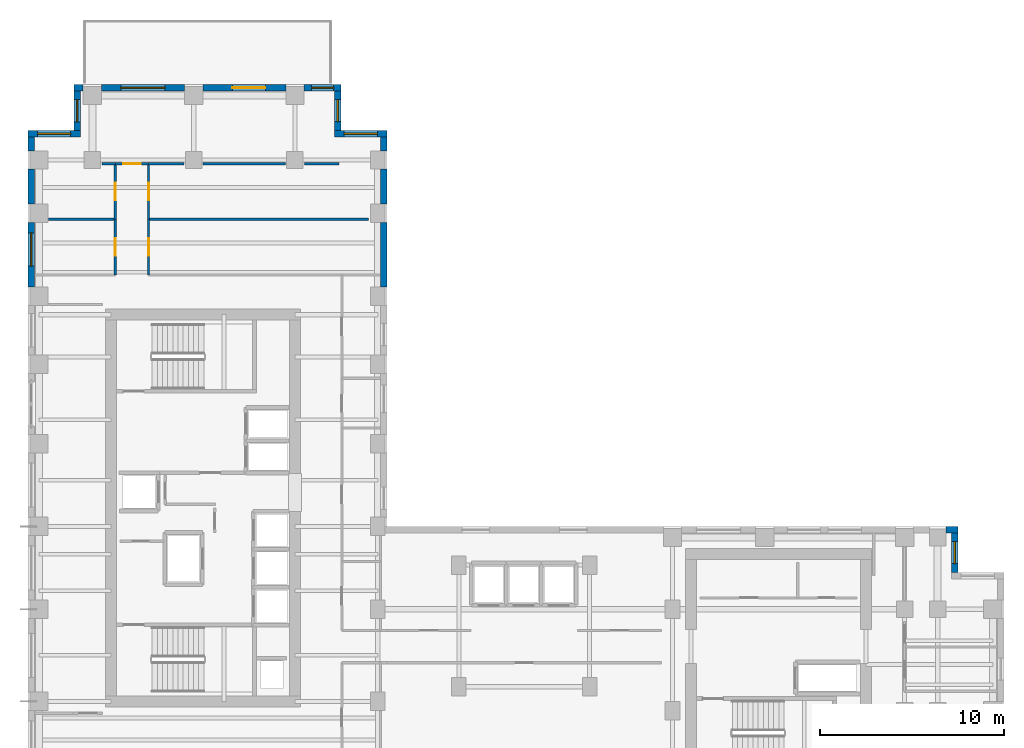
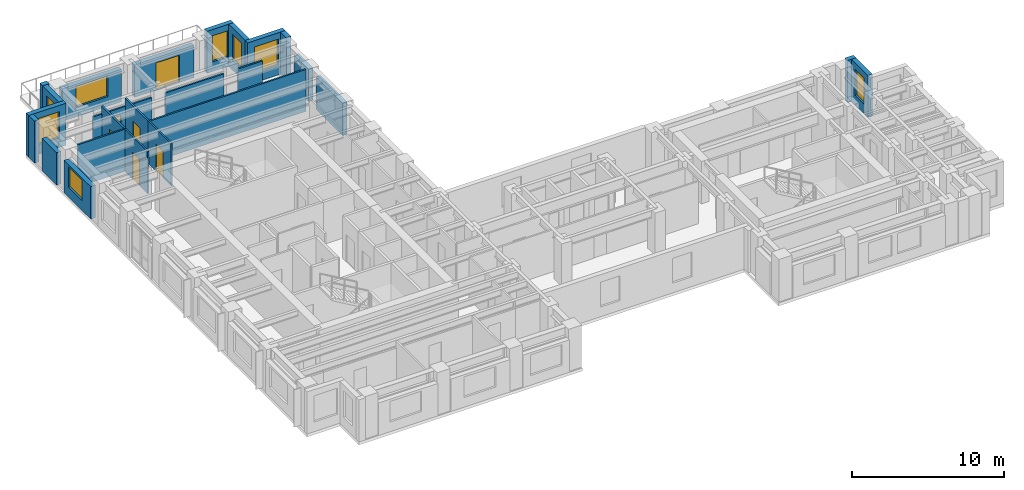
# One storey, part 9 of 13: 27 walls, 8 windows, 6 doors, 14 openings.
"""IFC4 building model written with IfcOpenShell, lengths in metres."""

import ifcopenshell
import ifcopenshell.guid

model = None  # the IFC model being written
_history = None  # IfcOwnerHistory: only IFC2X3 demands one
_inside = {}  # id of a spatial element -> (the spatial element, [elements in it])
_under = {}  # id of a project, library or spatial element -> (it, [spatial elements below it])
_declared = {}  # id of a project -> (the project, [libraries it declares])
_typed = {}  # id of a type object -> (the type object, [elements of that type])
_made_of = {}  # id of a material, layer set ... -> (it, [elements and type objects made of it])


def new_model(schema):
    """Start an empty IFC model of exactly this schema.

    Asked for "IFC4X3", IfcOpenShell would pick the latest addendum, in which some entities
    have other attributes; the version numbers below select the first issue.
    IFC2X3 requires an IfcOwnerHistory on every rooted entity: one is made here for all.
    """
    global model, _history
    if schema == "IFC4X3":
        model = ifcopenshell.file(schema_version=(4, 3, 0, 0))
    else:
        model = ifcopenshell.file(schema=schema)
    _inside.clear()
    _under.clear()
    _declared.clear()
    _typed.clear()
    _made_of.clear()
    _history = None
    if model.schema == "IFC2X3":
        org = make("IfcOrganization", Name="unknown")
        user = make(
            "IfcPersonAndOrganization",
            ThePerson=make("IfcPerson", FamilyName="unknown"),
            TheOrganization=org,
        )
        app = make(
            "IfcApplication",
            ApplicationDeveloper=org,
            Version="unknown",
            ApplicationFullName="unknown",
            ApplicationIdentifier="unknown",
        )
        _history = make(
            "IfcOwnerHistory",
            OwningUser=user,
            OwningApplication=app,
            ChangeAction="ADDED",
            CreationDate=0,
        )
    return model


def make(cls, **values):
    """One entity of the class cls with the attributes given. An attribute that is None is left unset."""
    return model.create_entity(
        cls, **{name: value for name, value in values.items() if value is not None}
    )


def rooted(cls, **values):
    """An entity with a GlobalId (a new one), such as an element, a storey or a relation."""
    return make(cls, GlobalId=ifcopenshell.guid.new(), OwnerHistory=_history, **values)


def si_unit(unit_type, name, prefix=None):
    """IfcSIUnit, for example si_unit("LENGTHUNIT", "METRE", prefix="MILLI")."""
    return make("IfcSIUnit", UnitType=unit_type, Prefix=prefix, Name=name)


def assignment(units):
    """IfcUnitAssignment: the units of a project."""
    return None if units is None else make("IfcUnitAssignment", Units=units)


def point(xyz):
    """IfcCartesianPoint."""
    return None if xyz is None else make("IfcCartesianPoint", Coordinates=xyz)


def direction(xyz):
    """IfcDirection."""
    return None if xyz is None else make("IfcDirection", DirectionRatios=xyz)


def frame(location, z_axis=None, x_axis=None):
    """IfcAxis2Placement3D, a coordinate frame: its origin and axes. An axis left out is left unset."""
    return make(
        "IfcAxis2Placement3D",
        Location=point(location),
        Axis=direction(z_axis),
        RefDirection=direction(x_axis),
    )


def frame_2d(location, x_axis=None):
    """IfcAxis2Placement2D, a coordinate frame in the plane: its origin and x axis."""
    return make(
        "IfcAxis2Placement2D", Location=point(location), RefDirection=direction(x_axis)
    )


def origin():
    """The frame at (0, 0, 0) with its axes left unset."""
    return frame((0.0, 0.0, 0.0))


def place(relative_to, where):
    """IfcLocalPlacement: puts the frame where relative to a parent placement (None: the world)."""
    return make(
        "IfcLocalPlacement", PlacementRelTo=relative_to, RelativePlacement=where
    )


def context(
    kind, dimensions, precision=None, world=None, true_north=None, identifier=None
):
    """IfcGeometricRepresentationContext, for example the 3D "Model" context."""
    return make(
        "IfcGeometricRepresentationContext",
        ContextIdentifier=identifier,
        ContextType=kind,
        CoordinateSpaceDimension=dimensions,
        Precision=precision,
        WorldCoordinateSystem=world,
        TrueNorth=true_north,
    )


def subcontext(parent, identifier, kind, view, scale=None):
    """IfcGeometricRepresentationSubContext, for example "Body" below "Model"."""
    return make(
        "IfcGeometricRepresentationSubContext",
        ContextIdentifier=identifier,
        ContextType=kind,
        ParentContext=parent,
        TargetScale=scale,
        TargetView=view,
    )


def project(units=None, contexts=None):
    """IfcProject with its units and contexts."""
    return rooted(
        "IfcProject",
        Name="project",
        RepresentationContexts=contexts,
        UnitsInContext=assignment(units),
    )


def spatial(cls, under=None, at=None, **own):
    """A site, building, storey or space (cls), placed at a placement, below another one or the project."""
    s = rooted(cls, ObjectPlacement=at, **own)
    if under is not None:
        _under.setdefault(under.id(), (under, []))[1].append(s)
    return s


def profile(cls, at=None, kind="AREA", **sizes):
    """A parametric profile (cls). Its sizes go by their IFC names, for example OverallWidth=200.0."""
    return make(cls, ProfileType=kind, Position=at, **sizes)


def rectangle(**sizes):
    """IfcRectangleProfileDef."""
    return profile("IfcRectangleProfileDef", **sizes)


def extrude(swept, where, along, depth):
    """IfcExtrudedAreaSolid: the profile swept, set in the frame where, extruded along a direction by depth."""
    return make(
        "IfcExtrudedAreaSolid",
        SweptArea=swept,
        Position=where,
        ExtrudedDirection=direction(along),
        Depth=depth,
    )


def shape(context_of_items, identifier, shape_type, items):
    """IfcShapeRepresentation: the items that make up one representation, for example the "Body"."""
    return make(
        "IfcShapeRepresentation",
        ContextOfItems=context_of_items,
        RepresentationIdentifier=identifier,
        RepresentationType=shape_type,
        Items=items,
    )


def source(mapping_origin, context_of_items, identifier, shape_type, items):
    """IfcRepresentationMap: a shape defined once, which mapped items show again and again."""
    return make(
        "IfcRepresentationMap",
        MappingOrigin=mapping_origin,
        MappedRepresentation=shape(context_of_items, identifier, shape_type, items),
    )


def transform(
    local_origin,
    x_axis=None,
    y_axis=None,
    z_axis=None,
    scale=None,
    scale2=None,
    scale3=None,
    uniform=True,
):
    """IfcCartesianTransformationOperator3D, or its non-uniform kind. x_axis, y_axis, z_axis: its Axis1, 2, 3."""
    if uniform:
        return make(
            "IfcCartesianTransformationOperator3D",
            Axis1=direction(x_axis),
            Axis2=direction(y_axis),
            LocalOrigin=point(local_origin),
            Scale=scale,
            Axis3=direction(z_axis),
        )
    return make(
        "IfcCartesianTransformationOperator3DnonUniform",
        Axis1=direction(x_axis),
        Axis2=direction(y_axis),
        LocalOrigin=point(local_origin),
        Scale=scale,
        Axis3=direction(z_axis),
        Scale2=scale2,
        Scale3=scale3,
    )


def mapped(mapping_source, mapping_target):
    """IfcMappedItem: shows the shape of a source again, moved by a transform."""
    return make(
        "IfcMappedItem", MappingSource=mapping_source, MappingTarget=mapping_target
    )


def material(Name=None, Category=None):
    """IfcMaterial."""
    return make("IfcMaterial", Name=Name, Category=Category)


def layer(
    of_material, thickness, ventilated=None, Name=None, Category=None, Priority=None
):
    """IfcMaterialLayer: one layer of a wall or slab, of a material (None: an air gap)."""
    return make(
        "IfcMaterialLayer",
        Material=of_material,
        LayerThickness=thickness,
        IsVentilated=ventilated,
        Name=Name,
        Category=Category,
        Priority=Priority,
    )


def layer_set(layers, Name=None):
    """IfcMaterialLayerSet."""
    return make("IfcMaterialLayerSet", MaterialLayers=layers, LayerSetName=Name)


def made_of(thing, what):
    """Note that an element or type object is made of a material, layer set ...; save() writes the relation."""
    if what is not None:
        _made_of.setdefault(what.id(), (what, []))[1].append(thing)
    return thing


def type_object(cls, material=None, **own):
    """A type object (cls), such as IfcWallType, which elements share."""
    return made_of(rooted(cls, **own), material)


def element(
    cls,
    number,
    at=None,
    inside=None,
    cuts=None,
    type_object=None,
    material=None,
    context=None,
    identifier="Body",
    shape_type=None,
    held_by="IfcProductDefinitionShape",
    body=None,
    shapes=None,
    **own,
):
    """One element of the class cls, such as IfcWall. Its Tag is "e" and its number.

    at: its placement. inside: the storey or other place that contains it. cuts: it is an
    opening in that element (IfcRelVoidsElement). A single representation is given by context,
    identifier, shape_type and body (its items); several are given by shapes. held_by: the class
    of the entity that holds the representations. save() writes the other relations.
    """
    e = rooted(cls, Tag="e%d" % number, ObjectPlacement=at, **own)
    if body is not None:
        shapes = [shape(context, identifier, shape_type, body)]
    if shapes is not None:
        e.Representation = make(held_by, Representations=shapes)
    if inside is not None:
        _inside.setdefault(inside.id(), (inside, []))[1].append(e)
    if cuts is not None:
        rooted(
            "IfcRelVoidsElement", RelatingBuildingElement=cuts, RelatedOpeningElement=e
        )
    if type_object is not None:
        _typed.setdefault(type_object.id(), (type_object, []))[1].append(e)
    return made_of(e, material)


def fill(opening, filler):
    """IfcRelFillsElement: the door or window that sits in an opening."""
    return rooted(
        "IfcRelFillsElement",
        RelatingOpeningElement=opening,
        RelatedBuildingElement=filler,
    )


def aggregate(whole, parts):
    """IfcRelAggregates: a whole, such as a stair, and the parts it consists of."""
    return rooted("IfcRelAggregates", RelatingObject=whole, RelatedObjects=parts)


def save(model, path):
    """Write the relations noted so far, then the file.

    IfcRelAggregates (storeys below a building ...), IfcRelContainedInSpatialStructure (elements
    in a storey), IfcRelDefinesByType, IfcRelAssociatesMaterial and IfcRelDeclares: one each for
    every whole, place, type object, material and project.
    """
    for whole, parts in _under.values():
        aggregate(whole, parts)
    for where, things in _inside.values():
        rooted(
            "IfcRelContainedInSpatialStructure",
            RelatedElements=things,
            RelatingStructure=where,
        )
    for kind, things in _typed.values():
        rooted("IfcRelDefinesByType", RelatedObjects=things, RelatingType=kind)
    for what, things in _made_of.values():
        rooted("IfcRelAssociatesMaterial", RelatedObjects=things, RelatingMaterial=what)
    for by, libraries in _declared.values():
        rooted("IfcRelDeclares", RelatingContext=by, RelatedDefinitions=libraries)
    model.write(path)


model = new_model("IFC4")

# Units and contexts
model_context = context("Model", 3, precision=1e-05, world=origin(), true_north=direction((0.0, 1.0)))
body_context = subcontext(model_context, "Body", "Model", "MODEL_VIEW")
ifc_project = project(units=[si_unit("LENGTHUNIT", "METRE"), si_unit("AREAUNIT", "SQUARE_METRE"), si_unit("VOLUMEUNIT", "CUBIC_METRE"), si_unit("PLANEANGLEUNIT", "RADIAN"), si_unit("MASSUNIT", "GRAM", prefix="KILO")], contexts=[model_context])

# Site, building, storey
site_placement = place(None, origin())
site = spatial("IfcSite", under=ifc_project, at=site_placement, CompositionType="ELEMENT")
building_placement = place(site_placement, origin())
building = spatial("IfcBuilding", under=site, at=building_placement, Name="Kharzan Plaza Tower", CompositionType="ELEMENT")
storey_placement = place(building_placement, frame((0.0, 0.0, 143.10009765625)))
storey = spatial("IfcBuildingStorey", under=building, at=storey_placement, Name="L38", CompositionType="ELEMENT", Elevation=143.10009765625)

# Wall, opening, window
ifc_material_1 = material(Name="Concrete C40/50", Category="concrete")
ifc_layer_1 = layer(ifc_material_1, 0.35009765625)
ifc_layer_set_1 = layer_set([ifc_layer_1], Name="Concrete C40/50")
wall_type_1 = type_object("IfcWallType", Name="WL-EXT-MAS-Z3", PredefinedType="SOLIDWALL", material=ifc_layer_set_1)
wall_1_placement = place(storey_placement, frame((19.5, 39.324951171875, 0.0), z_axis=(0.0, 0.0, 1.0), x_axis=(-1.0, 0.0, 0.0)))
wall_1 = element("IfcWall", 1, at=wall_1_placement, inside=storey, type_object=wall_type_1, Name="L38 Masonry-Frame Exterior Wall 01", PredefinedType="SOLIDWALL", context=body_context, shape_type="SweptSolid", body=[
    extrude(rectangle(XDim=2.85009765625, YDim=0.35009765625, at=frame_2d((1.425048828125, 0.0))), origin(), (0.0, 0.0, 1.0), 3.385009765625),
])
opening_1_placement = place(wall_1_placement, frame((0.52490234375, 0.0, 0.780029296875)))
opening_1 = element("IfcOpeningElement", 2, at=opening_1_placement, cuts=wall_1, Name="Opening W1", PredefinedType="OPENING", context=body_context, shape_type="SweptSolid", body=[
    extrude(rectangle(XDim=1.800048828125, YDim=2.10009765625, at=frame_2d((0.89990234375, 1.050048828125))), frame((0.0, 0.18505859375, 0.0), z_axis=(0.0, -1.0, 0.0), x_axis=(1.0, 0.0, 0.0)), (0.0, 0.0, 1.0), 0.3701171875),
])
ifc_material_2 = material(Name="Low-E Double Glazing", Category="glass")
window_type_1 = type_object("IfcWindowType", Name="WN-REC-1800x2100", PartitioningType="SINGLE_PANEL", PredefinedType="WINDOW", material=ifc_material_2)
shared_shape_1 = source(origin(), body_context, "Body", "SweptSolid", [
    extrude(rectangle(XDim=1.800048828125, YDim=2.10009765625, at=frame_2d((0.89990234375, 1.050048828125))), frame((0.0, 0.030029296875, 0.0), z_axis=(0.0, -1.0, 0.0), x_axis=(1.0, 0.0, 0.0)), (0.0, 0.0, 1.0), 0.06005859375),
])
window_1_placement = place(opening_1_placement, origin())
window_1 = element("IfcWindow", 3, at=window_1_placement, inside=storey, type_object=window_type_1, Name="L38 Recessed Solar-Control Window 01-1", OverallHeight=2.10009765625, OverallWidth=1.800048828125, PartitioningType="SINGLE_PANEL", PredefinedType="WINDOW", context=body_context, shape_type="MappedRepresentation", body=[
    mapped(shared_shape_1, transform((0.0, 0.0, 0.0), x_axis=(1.0, 0.0, 0.0), y_axis=(0.0, 1.0, 0.0), z_axis=(0.0, 0.0, 1.0))),
])
fill(opening_1, window_1)

wall_2_placement = place(storey_placement, frame((16.824951171875, 39.498046875, 0.0), z_axis=(0.0, 0.0, 1.0), x_axis=(0.0, 1.0, 0.0)))
wall_2 = element("IfcWall", 4, at=wall_2_placement, inside=storey, type_object=wall_type_1, Name="L38 Masonry-Frame Exterior Wall 02", PredefinedType="SOLIDWALL", context=body_context, shape_type="SweptSolid", body=[
    extrude(rectangle(XDim=2.154052734375, YDim=0.35009765625, at=frame_2d((1.0771484375, 0.0))), origin(), (0.0, 0.0, 1.0), 3.385009765625),
])
opening_2_placement = place(wall_2_placement, frame((0.47705078125, 0.0, 0.780029296875)))
opening_2 = element("IfcOpeningElement", 5, at=opening_2_placement, cuts=wall_2, Name="Opening W3", PredefinedType="OPENING", context=body_context, shape_type="SweptSolid", body=[
    extrude(rectangle(XDim=1.199951171875, YDim=2.10009765625, at=frame_2d((0.60009765625, 1.050048828125))), frame((0.0, 0.18505859375, 0.0), z_axis=(0.0, -1.0, 0.0), x_axis=(1.0, 0.0, 0.0)), (0.0, 0.0, 1.0), 0.3701171875),
])
window_type_2 = type_object("IfcWindowType", Name="WN-REC-1200x2100", PartitioningType="SINGLE_PANEL", PredefinedType="WINDOW", material=ifc_material_2)
shared_shape_2 = source(origin(), body_context, "Body", "SweptSolid", [
    extrude(rectangle(XDim=1.199951171875, YDim=2.10009765625, at=frame_2d((0.60009765625, 1.050048828125))), frame((0.0, 0.030029296875, 0.0), z_axis=(0.0, -1.0, 0.0), x_axis=(1.0, 0.0, 0.0)), (0.0, 0.0, 1.0), 0.06005859375),
])
window_2_placement = place(opening_2_placement, origin())
window_2 = element("IfcWindow", 6, at=window_2_placement, inside=storey, type_object=window_type_2, Name="L38 Recessed Solar-Control Window 02-1", OverallHeight=2.10009765625, OverallWidth=1.199951171875, PartitioningType="SINGLE_PANEL", PredefinedType="WINDOW", context=body_context, shape_type="MappedRepresentation", body=[
    mapped(shared_shape_2, transform((0.0, 0.0, 0.0), x_axis=(1.0, 0.0, 0.0), y_axis=(0.0, 1.0, 0.0), z_axis=(0.0, 0.0, 1.0))),
])
fill(opening_2, window_2)

wall_3_placement = place(storey_placement, frame((17.0, 41.824951171875, 0.0), z_axis=(0.0, 0.0, 1.0), x_axis=(-1.0, 0.0, 0.0)))
wall_3 = element("IfcWall", 7, at=wall_3_placement, inside=storey, type_object=wall_type_1, Name="L38 Masonry-Frame Exterior Wall 03", PredefinedType="SOLIDWALL", context=body_context, shape_type="SweptSolid", body=[
    extrude(rectangle(XDim=2.001953125, YDim=0.35009765625, at=frame_2d((1.0009765625, 0.0))), origin(), (0.0, 0.0, 1.0), 3.385009765625),
])
opening_3_placement = place(wall_3_placement, frame((0.40087890625, 0.0, 0.780029296875)))
opening_3 = element("IfcOpeningElement", 8, at=opening_3_placement, cuts=wall_3, Name="Opening W3", PredefinedType="OPENING", context=body_context, shape_type="SweptSolid", body=[
    extrude(rectangle(XDim=1.199951171875, YDim=2.10009765625, at=frame_2d((0.60009765625, 1.050048828125))), frame((0.0, 0.18505859375, 0.0), z_axis=(0.0, -1.0, 0.0), x_axis=(1.0, 0.0, 0.0)), (0.0, 0.0, 1.0), 0.3701171875),
])
window_3_placement = place(opening_3_placement, origin())
window_3 = element("IfcWindow", 9, at=window_3_placement, inside=storey, type_object=window_type_2, Name="L38 Recessed Solar-Control Window 03-1", OverallHeight=2.10009765625, OverallWidth=1.199951171875, PartitioningType="SINGLE_PANEL", PredefinedType="WINDOW", context=body_context, shape_type="MappedRepresentation", body=[
    mapped(shared_shape_2, transform((0.0, 0.0, 0.0), x_axis=(1.0, 0.0, 0.0), y_axis=(0.0, 1.0, 0.0), z_axis=(0.0, 0.0, 1.0))),
])
fill(opening_3, window_3)

# Wall, opening, door
wall_4_placement = place(storey_placement, frame((14.001953125, 41.824951171875, 0.0), z_axis=(0.0, 0.0, 1.0), x_axis=(-1.0, 0.0, 0.0)))
wall_4 = element("IfcWall", 10, at=wall_4_placement, inside=storey, type_object=wall_type_1, Name="L38 Masonry-Frame Exterior Wall 04", PredefinedType="SOLIDWALL", context=body_context, shape_type="SweptSolid", body=[
    extrude(rectangle(XDim=4.50390625, YDim=0.35009765625, at=frame_2d((2.251953125, 0.0))), origin(), (0.0, 0.0, 1.0), 2.61181640625),
])
opening_4_placement = place(wall_4_placement, frame((1.10205078125, 0.0, 0.0)))
opening_4 = element("IfcOpeningElement", 11, at=opening_4_placement, cuts=wall_4, Name="Opening ED2", PredefinedType="OPENING", context=body_context, shape_type="SweptSolid", body=[
    extrude(rectangle(XDim=1.800048828125, YDim=2.199951171875, at=frame_2d((0.89990234375, 1.10009765625))), frame((0.0, 0.18505859375, 0.0), z_axis=(0.0, -1.0, 0.0), x_axis=(1.0, 0.0, 0.0)), (0.0, 0.0, 1.0), 0.3701171875),
])
ifc_material_3 = material(Name="Thermally Broken Anodized Bronze Aluminium", Category="aluminium")
door_type_1 = type_object("IfcDoorType", Name="DR-EXT-TERR-1800", OperationType="DOUBLE_DOOR_SINGLE_SWING", PredefinedType="DOOR", material=ifc_material_3)
shared_shape_3 = source(origin(), body_context, "Body", "SweptSolid", [
    extrude(rectangle(XDim=1.800048828125, YDim=2.199951171875, at=frame_2d((0.89990234375, 1.10009765625))), frame((0.0, 0.02490234375, 0.0), z_axis=(0.0, -1.0, 0.0), x_axis=(1.0, 0.0, 0.0)), (0.0, 0.0, 1.0), 0.050048828125),
])
door_1_placement = place(opening_4_placement, frame((1.800048828125, 0.0, 0.0), z_axis=(0.0, 0.0, 1.0), x_axis=(-1.0, 0.0, 0.0)))
door_1 = element("IfcDoor", 12, at=door_1_placement, inside=storey, type_object=door_type_1, Name="L38 Walkable Sky-Terrace Access Door", OperationType="DOUBLE_DOOR_SINGLE_SWING", OverallHeight=2.199951171875, OverallWidth=1.800048828125, PredefinedType="DOOR", context=body_context, shape_type="MappedRepresentation", body=[
    mapped(shared_shape_3, transform((0.0, 0.0, 0.0), x_axis=(1.0, 0.0, 0.0), y_axis=(0.0, 1.0, 0.0), z_axis=(0.0, 0.0, 1.0))),
])
fill(opening_4, door_1)

# Wall, opening, window
wall_5_placement = place(storey_placement, frame((8.501953125, 41.824951171875, 0.0), z_axis=(0.0, 0.0, 1.0), x_axis=(-1.0, 0.0, 0.0)))
wall_5 = element("IfcWall", 13, at=wall_5_placement, inside=storey, type_object=wall_type_1, Name="L38 Masonry-Frame Exterior Wall 05", PredefinedType="SOLIDWALL", context=body_context, shape_type="SweptSolid", body=[
    extrude(rectangle(XDim=4.50390625, YDim=0.35009765625, at=frame_2d((2.251953125, 0.0))), origin(), (0.0, 0.0, 1.0), 2.61181640625),
])
opening_5_placement = place(wall_5_placement, frame((1.052001953125, 0.0, 0.780029296875)))
opening_5 = element("IfcOpeningElement", 14, at=opening_5_placement, cuts=wall_5, Name="Opening W2", PredefinedType="OPENING", context=body_context, shape_type="SweptSolid", body=[
    extrude(rectangle(XDim=2.39990234375, YDim=1.652099609375, at=frame_2d((1.199951171875, 0.826171875))), frame((0.0, 0.18505859375, 0.0), z_axis=(0.0, -1.0, 0.0), x_axis=(1.0, 0.0, 0.0)), (0.0, 0.0, 1.0), 0.3701171875),
])
window_type_3 = type_object("IfcWindowType", Name="WN-REC-2400x2100", PartitioningType="SINGLE_PANEL", PredefinedType="WINDOW", material=ifc_material_2)
shared_shape_4 = source(origin(), body_context, "Body", "SweptSolid", [
    extrude(rectangle(XDim=2.39990234375, YDim=1.652099609375, at=frame_2d((1.199951171875, 0.826171875))), frame((0.0, 0.030029296875, 0.0), z_axis=(0.0, -1.0, 0.0), x_axis=(1.0, 0.0, 0.0)), (0.0, 0.0, 1.0), 0.06005859375),
])
window_4_placement = place(opening_5_placement, origin())
window_4 = element("IfcWindow", 15, at=window_4_placement, inside=storey, type_object=window_type_3, Name="L38 Wide Recessed Solar-Control Window 05-1", OverallHeight=1.652099609375, OverallWidth=2.39990234375, PartitioningType="SINGLE_PANEL", PredefinedType="WINDOW", context=body_context, shape_type="MappedRepresentation", body=[
    mapped(shared_shape_4, transform((0.0, 0.0, 0.0), x_axis=(1.0, 0.0, 0.0), y_axis=(0.0, 1.0, 0.0), z_axis=(0.0, 0.0, 1.0))),
])
fill(opening_5, window_4)

wall_6_placement = place(storey_placement, frame((2.675048828125, 41.652099609375, 0.0), z_axis=(0.0, 0.0, 1.0), x_axis=(0.0, -1.0, 0.0)))
wall_6 = element("IfcWall", 16, at=wall_6_placement, inside=storey, type_object=wall_type_1, Name="L38 Masonry-Frame Exterior Wall 07", PredefinedType="SOLIDWALL", context=body_context, shape_type="SweptSolid", body=[
    extrude(rectangle(XDim=2.154052734375, YDim=0.35009765625, at=frame_2d((1.0771484375, 0.0))), origin(), (0.0, 0.0, 1.0), 3.385009765625),
])
opening_6_placement = place(wall_6_placement, frame((0.47705078125, 0.0, 0.780029296875)))
opening_6 = element("IfcOpeningElement", 17, at=opening_6_placement, cuts=wall_6, Name="Opening W3", PredefinedType="OPENING", context=body_context, shape_type="SweptSolid", body=[
    extrude(rectangle(XDim=1.199951171875, YDim=2.10009765625, at=frame_2d((0.60009765625, 1.050048828125))), frame((0.0, 0.18505859375, 0.0), z_axis=(0.0, -1.0, 0.0), x_axis=(1.0, 0.0, 0.0)), (0.0, 0.0, 1.0), 0.3701171875),
])
window_5_placement = place(opening_6_placement, origin())
window_5 = element("IfcWindow", 18, at=window_5_placement, inside=storey, type_object=window_type_2, Name="L38 Recessed Solar-Control Window 07-1", OverallHeight=2.10009765625, OverallWidth=1.199951171875, PartitioningType="SINGLE_PANEL", PredefinedType="WINDOW", context=body_context, shape_type="MappedRepresentation", body=[
    mapped(shared_shape_2, transform((0.0, 0.0, 0.0), x_axis=(1.0, 0.0, 0.0), y_axis=(0.0, 1.0, 0.0), z_axis=(0.0, 0.0, 1.0))),
])
fill(opening_6, window_5)

wall_7_placement = place(storey_placement, frame((2.85009765625, 39.324951171875, 0.0), z_axis=(0.0, 0.0, 1.0), x_axis=(-1.0, 0.0, 0.0)))
wall_7 = element("IfcWall", 19, at=wall_7_placement, inside=storey, type_object=wall_type_1, Name="L38 Masonry-Frame Exterior Wall 08", PredefinedType="SOLIDWALL", context=body_context, shape_type="SweptSolid", body=[
    extrude(rectangle(XDim=2.85009765625, YDim=0.35009765625, at=frame_2d((1.425048828125, 0.0))), origin(), (0.0, 0.0, 1.0), 3.385009765625),
])
opening_7_placement = place(wall_7_placement, frame((0.52490234375, 0.0, 0.780029296875)))
opening_7 = element("IfcOpeningElement", 20, at=opening_7_placement, cuts=wall_7, Name="Opening W1", PredefinedType="OPENING", context=body_context, shape_type="SweptSolid", body=[
    extrude(rectangle(XDim=1.800048828125, YDim=2.10009765625, at=frame_2d((0.89990234375, 1.050048828125))), frame((0.0, 0.18505859375, 0.0), z_axis=(0.0, -1.0, 0.0), x_axis=(1.0, 0.0, 0.0)), (0.0, 0.0, 1.0), 0.3701171875),
])
window_6_placement = place(opening_7_placement, origin())
window_6 = element("IfcWindow", 21, at=window_6_placement, inside=storey, type_object=window_type_1, Name="L38 Recessed Solar-Control Window 08-1", OverallHeight=2.10009765625, OverallWidth=1.800048828125, PartitioningType="SINGLE_PANEL", PredefinedType="WINDOW", context=body_context, shape_type="MappedRepresentation", body=[
    mapped(shared_shape_1, transform((0.0, 0.0, 0.0), x_axis=(1.0, 0.0, 0.0), y_axis=(0.0, 1.0, 0.0), z_axis=(0.0, 0.0, 1.0))),
])
fill(opening_7, window_6)

wall_8_placement = place(storey_placement, frame((0.175048828125, 34.501953125, 0.0), z_axis=(0.0, 0.0, 1.0), x_axis=(0.0, -1.0, 0.0)))
wall_8 = element("IfcWall", 22, at=wall_8_placement, inside=storey, type_object=wall_type_1, Name="L38 Masonry-Frame Exterior Wall 11", PredefinedType="SOLIDWALL", context=body_context, shape_type="SweptSolid", body=[
    extrude(rectangle(XDim=3.50390625, YDim=0.35009765625, at=frame_2d((1.751953125, 0.0))), origin(), (0.0, 0.0, 1.0), 2.61181640625),
])
opening_8_placement = place(wall_8_placement, frame((0.56103515625, 0.0, 0.780029296875)))
opening_8 = element("IfcOpeningElement", 23, at=opening_8_placement, cuts=wall_8, Name="Opening W1", PredefinedType="OPENING", context=body_context, shape_type="SweptSolid", body=[
    extrude(rectangle(XDim=1.800048828125, YDim=1.652099609375, at=frame_2d((0.89990234375, 0.826171875))), frame((0.0, 0.18505859375, 0.0), z_axis=(0.0, -1.0, 0.0), x_axis=(1.0, 0.0, 0.0)), (0.0, 0.0, 1.0), 0.3701171875),
])
shared_shape_5 = source(origin(), body_context, "Body", "SweptSolid", [
    extrude(rectangle(XDim=1.800048828125, YDim=1.652099609375, at=frame_2d((0.89990234375, 0.826171875))), frame((0.0, 0.030029296875, 0.0), z_axis=(0.0, -1.0, 0.0), x_axis=(1.0, 0.0, 0.0)), (0.0, 0.0, 1.0), 0.06005859375),
])
window_7_placement = place(opening_8_placement, origin())
window_7 = element("IfcWindow", 24, at=window_7_placement, inside=storey, type_object=window_type_1, Name="L38 Recessed Solar-Control Window 11-1", OverallHeight=1.652099609375, OverallWidth=1.800048828125, PartitioningType="SINGLE_PANEL", PredefinedType="WINDOW", context=body_context, shape_type="MappedRepresentation", body=[
    mapped(shared_shape_5, transform((0.0, 0.0, 0.0), x_axis=(1.0, 0.0, 0.0), y_axis=(0.0, 1.0, 0.0), z_axis=(0.0, 0.0, 1.0))),
])
fill(opening_8, window_7)

wall_9_placement = place(storey_placement, frame((50.324951171875, 15.498046875, 0.0), z_axis=(0.0, 0.0, 1.0), x_axis=(0.0, 1.0, 0.0)))
wall_9 = element("IfcWall", 25, at=wall_9_placement, inside=storey, type_object=wall_type_1, Name="L38 Masonry-Frame Exterior Wall 40", PredefinedType="SOLIDWALL", context=body_context, shape_type="SweptSolid", body=[
    extrude(rectangle(XDim=2.154052734375, YDim=0.35009765625, at=frame_2d((1.0771484375, 0.0))), origin(), (0.0, 0.0, 1.0), 3.385009765625),
])
opening_9_placement = place(wall_9_placement, frame((0.47705078125, 0.0, 0.780029296875)))
opening_9 = element("IfcOpeningElement", 26, at=opening_9_placement, cuts=wall_9, Name="Opening W3", PredefinedType="OPENING", context=body_context, shape_type="SweptSolid", body=[
    extrude(rectangle(XDim=1.199951171875, YDim=2.10009765625, at=frame_2d((0.60009765625, 1.050048828125))), frame((0.0, 0.18505859375, 0.0), z_axis=(0.0, -1.0, 0.0), x_axis=(1.0, 0.0, 0.0)), (0.0, 0.0, 1.0), 0.3701171875),
])
window_8_placement = place(opening_9_placement, origin())
window_8 = element("IfcWindow", 27, at=window_8_placement, inside=storey, type_object=window_type_2, Name="L38 Recessed Solar-Control Window 40-1", OverallHeight=2.10009765625, OverallWidth=1.199951171875, PartitioningType="SINGLE_PANEL", PredefinedType="WINDOW", context=body_context, shape_type="MappedRepresentation", body=[
    mapped(shared_shape_2, transform((0.0, 0.0, 0.0), x_axis=(1.0, 0.0, 0.0), y_axis=(0.0, 1.0, 0.0), z_axis=(0.0, 0.0, 1.0))),
])
fill(opening_9, window_8)

# Wall, opening, door
ifc_material_4 = material(Name="Fire-Rated Gypsum Board Partition", Category="gypsum")
ifc_layer_2 = layer(ifc_material_4, 0.125)
ifc_layer_set_2 = layer_set([ifc_layer_2], Name="Fire-Rated Gypsum Board Partition")
wall_type_2 = type_object("IfcWallType", Name="WL-INT-PART-125", PredefinedType="PARTITIONING", material=ifc_layer_set_2)
wall_10_placement = place(storey_placement, frame((6.550048828125, 31.64990234375, 0.0), z_axis=(0.0, 0.0, 1.0), x_axis=(0.0, 1.0, 0.0)))
wall_10 = element("IfcWall", 28, at=wall_10_placement, inside=storey, type_object=wall_type_2, Name="L38 Interior Partition SH-SPE-1", PredefinedType="PARTITIONING", context=body_context, shape_type="SweptSolid", body=[
    extrude(rectangle(XDim=3.025146484375, YDim=0.125, at=frame_2d((1.5126953125, 0.0))), origin(), (0.0, 0.0, 1.0), 3.385009765625),
])
opening_10_placement = place(wall_10_placement, frame((1.03759765625, 0.0, 0.0)))
opening_10 = element("IfcOpeningElement", 29, at=opening_10_placement, cuts=wall_10, Name="Opening OD1", PredefinedType="OPENING", context=body_context, shape_type="SweptSolid", body=[
    extrude(rectangle(XDim=0.949951171875, YDim=2.14990234375, at=frame_2d((0.47509765625, 1.074951171875))), frame((0.0, 0.072509765625, 0.0), z_axis=(0.0, -1.0, 0.0), x_axis=(1.0, 0.0, 0.0)), (0.0, 0.0, 1.0), 0.14501953125),
])
ifc_material_5 = material(Name="Acoustic Solid-Core Stained Oak", Category="timber")
door_type_2 = type_object("IfcDoorType", Name="DR-OFF-SINGLE", OperationType="NOTDEFINED", PredefinedType="DOOR", material=ifc_material_5)
shared_shape_6 = source(origin(), body_context, "Body", "SweptSolid", [
    extrude(rectangle(XDim=0.949951171875, YDim=2.14990234375, at=frame_2d((0.47509765625, 1.074951171875))), frame((0.0, 0.02490234375, 0.0), z_axis=(0.0, -1.0, 0.0), x_axis=(1.0, 0.0, 0.0)), (0.0, 0.0, 1.0), 0.050048828125),
])
door_2_placement = place(opening_10_placement, origin())
door_2 = element("IfcDoor", 30, at=door_2_placement, inside=storey, type_object=door_type_2, Name="L38 Maritime Simulation Studio Door", OperationType="SINGLE_SWING_RIGHT", OverallHeight=2.14990234375, OverallWidth=0.949951171875, PredefinedType="DOOR", context=body_context, shape_type="MappedRepresentation", body=[
    mapped(shared_shape_6, transform((0.0, 0.0, 0.0), x_axis=(1.0, 0.0, 0.0), y_axis=(0.0, 1.0, 0.0), z_axis=(0.0, 0.0, 1.0))),
])
fill(opening_10, door_2)

wall_11_placement = place(storey_placement, frame((6.550048828125, 34.675048828125, 0.0), z_axis=(0.0, 0.0, 1.0), x_axis=(0.0, 1.0, 0.0)))
wall_11 = element("IfcWall", 31, at=wall_11_placement, inside=storey, type_object=wall_type_2, Name="L38 Interior Partition SH-SPE-2", PredefinedType="PARTITIONING", context=body_context, shape_type="SweptSolid", body=[
    extrude(rectangle(XDim=3.02490234375, YDim=0.125, at=frame_2d((1.512451171875, 0.0))), origin(), (0.0, 0.0, 1.0), 3.385009765625),
])
opening_11_placement = place(wall_11_placement, frame((1.03759765625, 0.0, 0.0)))
opening_11 = element("IfcOpeningElement", 32, at=opening_11_placement, cuts=wall_11, Name="Opening OD1", PredefinedType="OPENING", context=body_context, shape_type="SweptSolid", body=[
    extrude(rectangle(XDim=0.949951171875, YDim=2.14990234375, at=frame_2d((0.47509765625, 1.074951171875))), frame((0.0, 0.072509765625, 0.0), z_axis=(0.0, -1.0, 0.0), x_axis=(1.0, 0.0, 0.0)), (0.0, 0.0, 1.0), 0.14501953125),
])
door_3_placement = place(opening_11_placement, origin())
door_3 = element("IfcDoor", 33, at=door_3_placement, inside=storey, type_object=door_type_2, Name="L38 Maritime Simulation Studio Door", OperationType="SINGLE_SWING_LEFT", OverallHeight=2.14990234375, OverallWidth=0.949951171875, PredefinedType="DOOR", context=body_context, shape_type="MappedRepresentation", body=[
    mapped(shared_shape_6, transform((0.0, 0.0, 0.0), x_axis=(1.0, 0.0, 0.0), y_axis=(0.0, 1.0, 0.0), z_axis=(0.0, 0.0, 1.0))),
])
fill(opening_11, door_3)

wall_12_placement = place(storey_placement, frame((4.75, 37.699951171875, 0.0), z_axis=(0.0, 0.0, 1.0), x_axis=(1.0, 0.0, 0.0)))
wall_12 = element("IfcWall", 34, at=wall_12_placement, inside=storey, type_object=wall_type_2, Name="L38 Interior Partition SH-SPHD", PredefinedType="PARTITIONING", context=body_context, shape_type="SweptSolid", body=[
    extrude(rectangle(XDim=1.800048828125, YDim=0.125, at=frame_2d((0.89990234375, 0.0))), origin(), (0.0, 0.0, 1.0), 2.77294921875),
])
opening_12_placement = place(wall_12_placement, frame((0.425048828125, 0.0, 0.0)))
opening_12 = element("IfcOpeningElement", 35, at=opening_12_placement, cuts=wall_12, Name="Opening OD1", PredefinedType="OPENING", context=body_context, shape_type="SweptSolid", body=[
    extrude(rectangle(XDim=0.949951171875, YDim=2.14990234375, at=frame_2d((0.47509765625, 1.074951171875))), frame((0.0, 0.072509765625, 0.0), z_axis=(0.0, -1.0, 0.0), x_axis=(1.0, 0.0, 0.0)), (0.0, 0.0, 1.0), 0.14501953125),
])
door_4_placement = place(opening_12_placement, origin())
door_4 = element("IfcDoor", 36, at=door_4_placement, inside=storey, type_object=door_type_2, Name="L38 North Boardroom Door", OperationType="SINGLE_SWING_RIGHT", OverallHeight=2.14990234375, OverallWidth=0.949951171875, PredefinedType="DOOR", context=body_context, shape_type="MappedRepresentation", body=[
    mapped(shared_shape_6, transform((0.0, 0.0, 0.0), x_axis=(1.0, 0.0, 0.0), y_axis=(0.0, 1.0, 0.0), z_axis=(0.0, 0.0, 1.0))),
])
fill(opening_12, door_4)

wall_13_placement = place(storey_placement, frame((4.75, 31.64990234375, 0.0), z_axis=(0.0, 0.0, 1.0), x_axis=(0.0, 1.0, 0.0)))
wall_13 = element("IfcWall", 37, at=wall_13_placement, inside=storey, type_object=wall_type_2, Name="L38 Interior Partition SH-SPW-1", PredefinedType="PARTITIONING", context=body_context, shape_type="SweptSolid", body=[
    extrude(rectangle(XDim=3.025146484375, YDim=0.125, at=frame_2d((1.5126953125, 0.0))), origin(), (0.0, 0.0, 1.0), 3.385009765625),
])
opening_13_placement = place(wall_13_placement, frame((1.03759765625, 0.0, 0.0)))
opening_13 = element("IfcOpeningElement", 38, at=opening_13_placement, cuts=wall_13, Name="Opening OD1", PredefinedType="OPENING", context=body_context, shape_type="SweptSolid", body=[
    extrude(rectangle(XDim=0.949951171875, YDim=2.14990234375, at=frame_2d((0.47509765625, 1.074951171875))), frame((0.0, 0.072509765625, 0.0), z_axis=(0.0, -1.0, 0.0), x_axis=(1.0, 0.0, 0.0)), (0.0, 0.0, 1.0), 0.14501953125),
])
door_5_placement = place(opening_13_placement, origin())
door_5 = element("IfcDoor", 39, at=door_5_placement, inside=storey, type_object=door_type_2, Name="L38 Staff Tea Pantry Door", OperationType="SINGLE_SWING_RIGHT", OverallHeight=2.14990234375, OverallWidth=0.949951171875, PredefinedType="DOOR", context=body_context, shape_type="MappedRepresentation", body=[
    mapped(shared_shape_6, transform((0.0, 0.0, 0.0), x_axis=(1.0, 0.0, 0.0), y_axis=(0.0, 1.0, 0.0), z_axis=(0.0, 0.0, 1.0))),
])
fill(opening_13, door_5)

wall_14_placement = place(storey_placement, frame((4.75, 34.675048828125, 0.0), z_axis=(0.0, 0.0, 1.0), x_axis=(0.0, 1.0, 0.0)))
wall_14 = element("IfcWall", 40, at=wall_14_placement, inside=storey, type_object=wall_type_2, Name="L38 Interior Partition SH-SPW-2", PredefinedType="PARTITIONING", context=body_context, shape_type="SweptSolid", body=[
    extrude(rectangle(XDim=3.02490234375, YDim=0.125, at=frame_2d((1.512451171875, 0.0))), origin(), (0.0, 0.0, 1.0), 3.385009765625),
])
opening_14_placement = place(wall_14_placement, frame((1.03759765625, 0.0, 0.0)))
opening_14 = element("IfcOpeningElement", 41, at=opening_14_placement, cuts=wall_14, Name="Opening OD1", PredefinedType="OPENING", context=body_context, shape_type="SweptSolid", body=[
    extrude(rectangle(XDim=0.949951171875, YDim=2.14990234375, at=frame_2d((0.47509765625, 1.074951171875))), frame((0.0, 0.072509765625, 0.0), z_axis=(0.0, -1.0, 0.0), x_axis=(1.0, 0.0, 0.0)), (0.0, 0.0, 1.0), 0.14501953125),
])
door_6_placement = place(opening_14_placement, origin())
door_6 = element("IfcDoor", 42, at=door_6_placement, inside=storey, type_object=door_type_2, Name="L38 Staff Tea Pantry Door", OperationType="SINGLE_SWING_LEFT", OverallHeight=2.14990234375, OverallWidth=0.949951171875, PredefinedType="DOOR", context=body_context, shape_type="MappedRepresentation", body=[
    mapped(shared_shape_6, transform((0.0, 0.0, 0.0), x_axis=(1.0, 0.0, 0.0), y_axis=(0.0, 1.0, 0.0), z_axis=(0.0, 0.0, 1.0))),
])
fill(opening_14, door_6)

# Walls
shared_shape_7 = source(origin(), body_context, "Body", "SweptSolid", [
    extrude(rectangle(XDim=0.501953125, YDim=0.35009765625, at=frame_2d((0.2509765625, 0.0))), origin(), (0.0, 0.0, 1.0), 3.385009765625),
])
wall_15_placement = place(storey_placement, frame((3.001953125, 41.824951171875, 0.0), z_axis=(0.0, 0.0, 1.0), x_axis=(-1.0, 0.0, 0.0)))
element("IfcWall", 43, at=wall_15_placement, inside=storey, type_object=wall_type_1, Name="L38 Masonry-Frame Exterior Wall 06", PredefinedType="SOLIDWALL", context=body_context, shape_type="MappedRepresentation", body=[
    mapped(shared_shape_7, transform((0.0, 0.0, 0.0), x_axis=(1.0, 0.0, 0.0), y_axis=(0.0, 1.0, 0.0), z_axis=(0.0, 0.0, 1.0))),
])
shared_shape_8 = source(origin(), body_context, "Body", "SweptSolid", [
    extrude(rectangle(XDim=0.754150390625, YDim=0.35009765625, at=frame_2d((0.376953125, 0.0))), origin(), (0.0, 0.0, 1.0), 3.385009765625),
])
for number, where, z_axis, x_axis, name in (
    (44, (0.175048828125, 39.152099609375, 0.0), (0.0, 0.0, 1.0), (0.0, -1.0, 0.0), "L38 Masonry-Frame Exterior Wall 09"),
    (45, (19.324951171875, 38.39794921875, 0.0), (0.0, 0.0, 1.0), (0.0, 1.0, 0.0), "L38 Masonry-Frame Exterior Wall 51"),
):
    element("IfcWall", number, at=place(storey_placement, frame(where, z_axis=z_axis, x_axis=x_axis)), inside=storey, type_object=wall_type_1, Name=name, PredefinedType="SOLIDWALL", context=body_context, shape_type="MappedRepresentation", body=[
        mapped(shared_shape_8, transform((0.0, 0.0, 0.0), x_axis=(1.0, 0.0, 0.0), y_axis=(0.0, 1.0, 0.0), z_axis=(0.0, 0.0, 1.0))),
    ])
shared_shape_9 = source(origin(), body_context, "Body", "SweptSolid", [
    extrude(rectangle(XDim=1.904052734375, YDim=0.35009765625, at=frame_2d((0.9521484375, 0.0))), origin(), (0.0, 0.0, 1.0), 2.61181640625),
])
for number, where, z_axis, x_axis, name in (
    (46, (0.175048828125, 37.402099609375, 0.0), (0.0, 0.0, 1.0), (0.0, -1.0, 0.0), "L38 Masonry-Frame Exterior Wall 10"),
    (47, (19.324951171875, 35.498046875, 0.0), (0.0, 0.0, 1.0), (0.0, 1.0, 0.0), "L38 Masonry-Frame Exterior Wall 50"),
):
    element("IfcWall", number, at=place(storey_placement, frame(where, z_axis=z_axis, x_axis=x_axis)), inside=storey, type_object=wall_type_1, Name=name, PredefinedType="SOLIDWALL", context=body_context, shape_type="MappedRepresentation", body=[
        mapped(shared_shape_9, transform((0.0, 0.0, 0.0), x_axis=(1.0, 0.0, 0.0), y_axis=(0.0, 1.0, 0.0), z_axis=(0.0, 0.0, 1.0))),
    ])
shared_shape_10 = source(origin(), body_context, "Body", "SweptSolid", [
    extrude(rectangle(XDim=0.652099609375, YDim=0.35009765625, at=frame_2d((0.326171875, 0.0))), origin(), (0.0, 0.0, 1.0), 3.385009765625),
])
wall_16_placement = place(storey_placement, frame((50.5, 17.824951171875, 0.0), z_axis=(0.0, 0.0, 1.0), x_axis=(-1.0, 0.0, 0.0)))
element("IfcWall", 48, at=wall_16_placement, inside=storey, type_object=wall_type_1, Name="L38 Masonry-Frame Exterior Wall 41", PredefinedType="SOLIDWALL", context=body_context, shape_type="MappedRepresentation", body=[
    mapped(shared_shape_10, transform((0.0, 0.0, 0.0), x_axis=(1.0, 0.0, 0.0), y_axis=(0.0, 1.0, 0.0), z_axis=(0.0, 0.0, 1.0))),
])
shared_shape_11 = source(origin(), body_context, "Body", "SweptSolid", [
    extrude(rectangle(XDim=3.50390625, YDim=0.35009765625, at=frame_2d((1.751953125, 0.0))), origin(), (0.0, 0.0, 1.0), 2.61181640625),
])
wall_17_placement = place(storey_placement, frame((19.324951171875, 30.998046875, 0.0), z_axis=(0.0, 0.0, 1.0), x_axis=(0.0, 1.0, 0.0)))
element("IfcWall", 49, at=wall_17_placement, inside=storey, type_object=wall_type_1, Name="L38 Masonry-Frame Exterior Wall 49", PredefinedType="SOLIDWALL", context=body_context, shape_type="MappedRepresentation", body=[
    mapped(shared_shape_11, transform((0.0, 0.0, 0.0), x_axis=(1.0, 0.0, 0.0), y_axis=(0.0, 1.0, 0.0), z_axis=(0.0, 0.0, 1.0))),
])
shared_shape_12 = source(origin(), body_context, "Body", "SweptSolid", [
    extrude(rectangle(XDim=11.929931640625, YDim=0.125, at=frame_2d((5.96484375, 0.0))), origin(), (0.0, 0.0, 1.0), 3.385009765625),
])
wall_18_placement = place(storey_placement, frame((6.550048828125, 34.675048828125, 0.0), z_axis=(0.0, 0.0, 1.0), x_axis=(1.0, 0.0, 0.0)))
element("IfcWall", 50, at=wall_18_placement, inside=storey, type_object=wall_type_2, Name="L38 Interior Partition SH-NEH-1", PredefinedType="PARTITIONING", context=body_context, shape_type="MappedRepresentation", body=[
    mapped(shared_shape_12, transform((0.0, 0.0, 0.0), x_axis=(1.0, 0.0, 0.0), y_axis=(0.0, 1.0, 0.0), z_axis=(0.0, 0.0, 1.0))),
])
shared_shape_13 = source(origin(), body_context, "Body", "SweptSolid", [
    extrude(rectangle(XDim=3.6298828125, YDim=0.125, at=frame_2d((1.81494140625, 0.0))), origin(), (0.0, 0.0, 1.0), 3.385009765625),
])
wall_19_placement = place(storey_placement, frame((1.1201171875, 34.675048828125, 0.0), z_axis=(0.0, 0.0, 1.0), x_axis=(1.0, 0.0, 0.0)))
element("IfcWall", 51, at=wall_19_placement, inside=storey, type_object=wall_type_2, Name="L38 Interior Partition SH-NWH-1", PredefinedType="PARTITIONING", context=body_context, shape_type="MappedRepresentation", body=[
    mapped(shared_shape_13, transform((0.0, 0.0, 0.0), x_axis=(1.0, 0.0, 0.0), y_axis=(0.0, 1.0, 0.0), z_axis=(0.0, 0.0, 1.0))),
])
shared_shape_14 = source(origin(), body_context, "Body", "SweptSolid", [
    extrude(rectangle(XDim=1.929931640625, YDim=0.125, at=frame_2d((0.96484375, 0.0))), origin(), (0.0, 0.0, 1.0), 2.77294921875),
])
wall_20_placement = place(storey_placement, frame((6.550048828125, 37.699951171875, 0.0), z_axis=(0.0, 0.0, 1.0), x_axis=(1.0, 0.0, 0.0)))
element("IfcWall", 52, at=wall_20_placement, inside=storey, type_object=wall_type_2, Name="L38 Interior Partition SH-SPHE-S1", PredefinedType="PARTITIONING", context=body_context, shape_type="MappedRepresentation", body=[
    mapped(shared_shape_14, transform((0.0, 0.0, 0.0), x_axis=(1.0, 0.0, 0.0), y_axis=(0.0, 1.0, 0.0), z_axis=(0.0, 0.0, 1.0))),
])
shared_shape_15 = source(origin(), body_context, "Body", "SweptSolid", [
    extrude(rectangle(XDim=4.4599609375, YDim=0.125, at=frame_2d((2.22998046875, 0.0))), origin(), (0.0, 0.0, 1.0), 2.77294921875),
])
wall_21_placement = place(storey_placement, frame((9.52001953125, 37.699951171875, 0.0), z_axis=(0.0, 0.0, 1.0), x_axis=(1.0, 0.0, 0.0)))
element("IfcWall", 53, at=wall_21_placement, inside=storey, type_object=wall_type_2, Name="L38 Interior Partition SH-SPHE-S2", PredefinedType="PARTITIONING", context=body_context, shape_type="MappedRepresentation", body=[
    mapped(shared_shape_15, transform((0.0, 0.0, 0.0), x_axis=(1.0, 0.0, 0.0), y_axis=(0.0, 1.0, 0.0), z_axis=(0.0, 0.0, 1.0))),
])
shared_shape_16 = source(origin(), body_context, "Body", "SweptSolid", [
    extrude(rectangle(XDim=1.8798828125, YDim=0.125, at=frame_2d((0.93994140625, 0.0))), origin(), (0.0, 0.0, 1.0), 2.77294921875),
])
wall_22_placement = place(storey_placement, frame((15.02001953125, 37.699951171875, 0.0), z_axis=(0.0, 0.0, 1.0), x_axis=(1.0, 0.0, 0.0)))
element("IfcWall", 54, at=wall_22_placement, inside=storey, type_object=wall_type_2, Name="L38 Interior Partition SH-SPHE-S3", PredefinedType="PARTITIONING", context=body_context, shape_type="MappedRepresentation", body=[
    mapped(shared_shape_16, transform((0.0, 0.0, 0.0), x_axis=(1.0, 0.0, 0.0), y_axis=(0.0, 1.0, 0.0), z_axis=(0.0, 0.0, 1.0))),
])
shared_shape_17 = source(origin(), body_context, "Body", "SweptSolid", [
    extrude(rectangle(XDim=0.72998046875, YDim=0.125, at=frame_2d((0.364990234375, 0.0))), origin(), (0.0, 0.0, 1.0), 2.77294921875),
])
wall_23_placement = place(storey_placement, frame((4.02001953125, 37.699951171875, 0.0), z_axis=(0.0, 0.0, 1.0), x_axis=(1.0, 0.0, 0.0)))
element("IfcWall", 55, at=wall_23_placement, inside=storey, type_object=wall_type_2, Name="L38 Interior Partition SH-SPHW", PredefinedType="PARTITIONING", context=body_context, shape_type="MappedRepresentation", body=[
    mapped(shared_shape_17, transform((0.0, 0.0, 0.0), x_axis=(1.0, 0.0, 0.0), y_axis=(0.0, 1.0, 0.0), z_axis=(0.0, 0.0, 1.0))),
])

save(model, "model.ifc")
